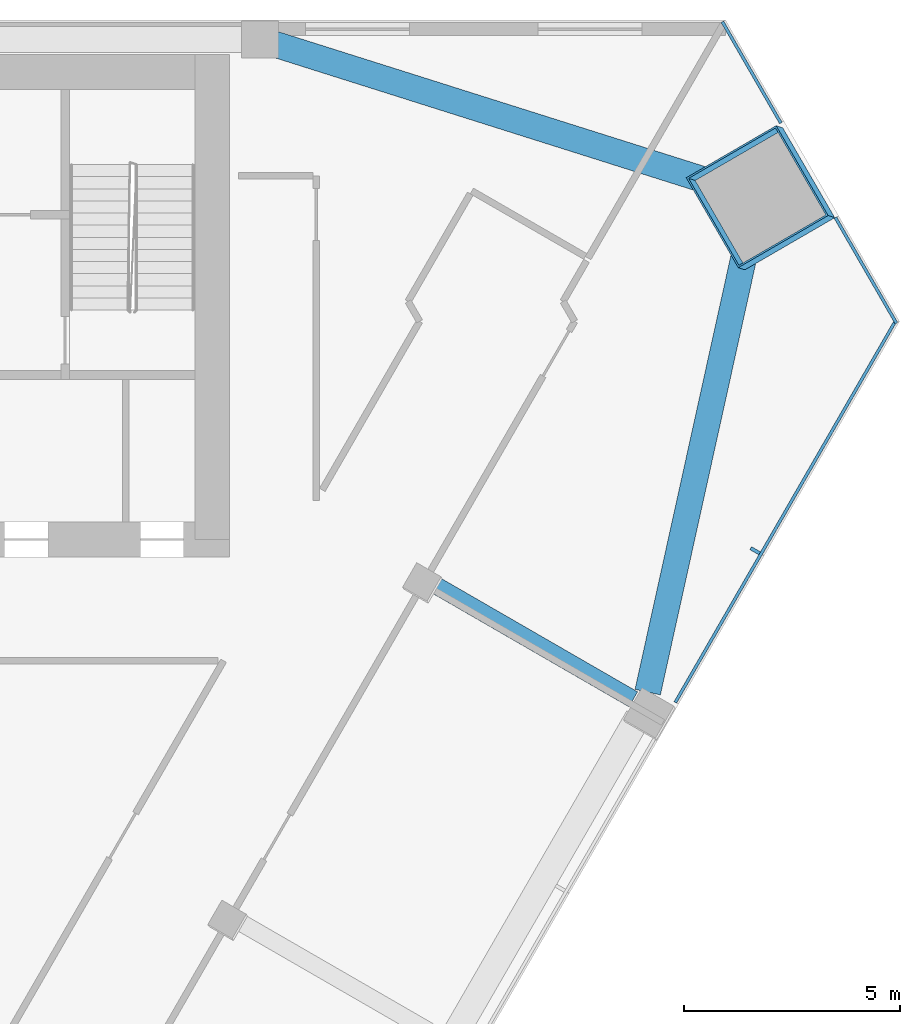
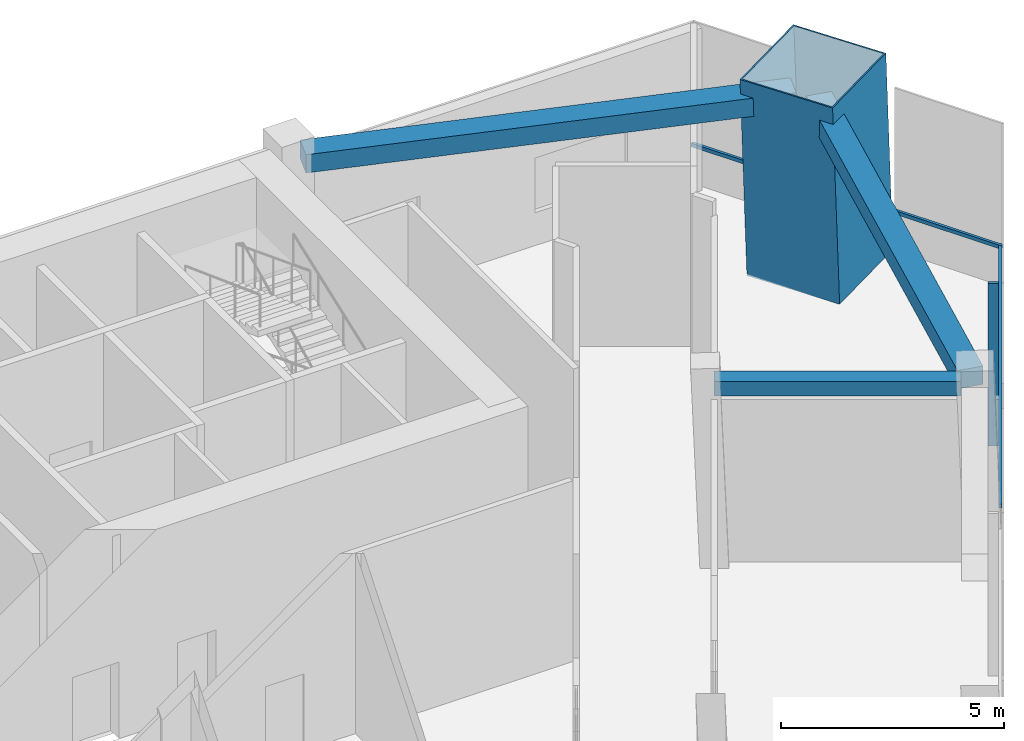
# One storey, part 5 of 12: 5 members, 3 beams, 2 elements without a shape of their own.
"""IFC4 building model written with IfcOpenShell, lengths in metres."""

from ifc_helpers import new_model, si_unit, direction, frame, origin, origin_2d, place, context, subcontext, project, spatial, rectangle, hollow_rectangle, extrude, material, layer, layer_set, material_profile, profile_set, type_object, element, aggregate, save


model = new_model("IFC4")

# Units and contexts
model_context = context("Model", 3, precision=1e-05, world=origin(), true_north=direction((0.0, 1.0)))
body_context = subcontext(model_context, "Body", "Model", "MODEL_VIEW")
ifc_project = project(units=[si_unit("LENGTHUNIT", "METRE"), si_unit("AREAUNIT", "SQUARE_METRE"), si_unit("VOLUMEUNIT", "CUBIC_METRE"), si_unit("PLANEANGLEUNIT", "RADIAN"), si_unit("MASSUNIT", "GRAM", prefix="KILO")], contexts=[model_context])

# Site, building, storey
site_placement = place(None, origin())
site = spatial("IfcSite", under=ifc_project, at=site_placement, CompositionType="ELEMENT")
building_placement = place(site_placement, origin())
building = spatial("IfcBuilding", under=site, at=building_placement, Name="Altiplano Prism Tower", CompositionType="ELEMENT")
storey_placement = place(building_placement, frame((0.0, 0.0, 118.800048828125)))
storey = spatial("IfcBuildingStorey", under=building, at=storey_placement, Name="L30", CompositionType="ELEMENT", Elevation=118.800048828125)

# Curtain wall, members
ifc_material_1 = material(Name="Aluminium and glass", Category="aluminium")
ifc_layer = layer(ifc_material_1, 0.360107421875)
ifc_layer_set = layer_set([ifc_layer], Name="Aluminium and glass")
curtain_wall_type = type_object("IfcCurtainWallType", Name="CW3 sky-lobby unitised glazing", PredefinedType="NOTDEFINED", material=ifc_layer_set)
curtain_wall_1_placement = place(storey_placement, origin())
curtain_wall_1 = element("IfcCurtainWall", 1, at=curtain_wall_1_placement, inside=storey, type_object=curtain_wall_type, Name="CW3 curtain wall south-east face L30", PredefinedType="NOTDEFINED")
ifc_material_2 = material(Name="Aluminium", Category="aluminium")
ifc_material_profile_1 = material_profile(ifc_material_2, rectangle(XDim=0.239990234375, YDim=0.080078125, at=origin_2d()), Name="CW3 mullion 80 x 240")
ifc_profile_set_1 = profile_set([ifc_material_profile_1], Name="Aluminium")
member_type_1 = type_object("IfcMemberType", Name="CW3 mullion 80 x 240", PredefinedType="MULLION", material=ifc_profile_set_1)
member_1_placement = place(storey_placement, frame((109.93896484375, 92.741455078125, 0.0), z_axis=(0.0, 0.0, 1.0), x_axis=(-0.866025406725, 0.499999994906, 0.0)))
member_1 = element("IfcMember", 2, at=member_1_placement, type_object=member_type_1, Name="CW3 mullion", PredefinedType="MULLION", context=body_context, shape_type="SweptSolid", body=[
    extrude(rectangle(XDim=0.239990234375, YDim=0.080078125, at=origin_2d()), origin(), (0.0, 0.0, 1.0), 4.449951171875),
])
ifc_material_profile_2 = material_profile(ifc_material_2, rectangle(XDim=0.070068359375, YDim=0.10009765625, at=origin_2d()), Name="CW3 transom 100 x 70")
ifc_profile_set_2 = profile_set([ifc_material_profile_2], Name="Aluminium")
member_type_2 = type_object("IfcMemberType", Name="CW3 transom 100 x 70", PredefinedType="USERDEFINED", material=ifc_profile_set_2)
member_2_placement = place(storey_placement, frame((108.095458984375, 89.23828125, 1.099853515625), z_axis=(0.500001144849, 0.866024742805, 0.0), x_axis=(-0.866024742805, 0.500001144849, 0.0)))
member_2 = element("IfcMember", 3, at=member_2_placement, type_object=member_type_2, Name="CW3 transom", ObjectType="TRANSOM", PredefinedType="USERDEFINED", context=body_context, shape_type="SweptSolid", body=[
    extrude(rectangle(XDim=0.070068359375, YDim=0.10009765625, at=origin_2d()), origin(), (0.0, 0.0, 1.0), 10.2119140625),
])
aggregate(curtain_wall_1, [member_1, member_2])

curtain_wall_2_placement = place(storey_placement, origin())
curtain_wall_2 = element("IfcCurtainWall", 4, at=curtain_wall_2_placement, inside=storey, type_object=curtain_wall_type, Name="CW3 curtain wall north-east chamfer L30", PredefinedType="NOTDEFINED")
member_3_placement = place(storey_placement, frame((113.201416015625, 97.9970703125, 1.099853515625), z_axis=(-0.500042355881, 0.866000948224, 0.0), x_axis=(-0.866000948224, -0.500042355881, 0.0)))
member_3 = element("IfcMember", 5, at=member_3_placement, type_object=member_type_2, Name="CW3 transom", ObjectType="TRANSOM", PredefinedType="USERDEFINED", context=body_context, shape_type="SweptSolid", body=[
    extrude(rectangle(XDim=0.070068359375, YDim=0.10009765625, at=origin_2d()), origin(), (0.0, 0.0, 1.0), 2.818603515625),
])
member_4_placement = place(storey_placement, frame((110.531982421875, 102.620361328125, 1.099853515625), z_axis=(-0.500001755459, 0.866024390267, 0.0), x_axis=(-0.866024390267, -0.500001755459, 0.0)))
member_4 = element("IfcMember", 6, at=member_4_placement, type_object=member_type_2, Name="CW3 transom", ObjectType="TRANSOM", PredefinedType="USERDEFINED", context=body_context, shape_type="SweptSolid", body=[
    extrude(rectangle(XDim=0.070068359375, YDim=0.10009765625, at=origin_2d()), origin(), (0.0, 0.0, 1.0), 2.69873046875),
])
aggregate(curtain_wall_2, [member_3, member_4])

# Beams
ifc_material_3 = material(Name="Concrete C60/75", Category="concrete")
ifc_material_profile_3 = material_profile(ifc_material_3, rectangle(XDim=0.60009765625, YDim=0.5, at=origin_2d()), Name="Edge beam 600x500")
ifc_profile_set_3 = profile_set([ifc_material_profile_3], Name="Concrete C60/75")
beam_type_1 = type_object("IfcBeamType", Name="Edge beam 600x500", PredefinedType="SPANDREL", material=ifc_profile_set_3)
beam_1_placement = place(storey_placement, frame((107.457275390625, 89.47509765625, 4.699951171875), z_axis=(0.215788130931, 0.976440209408, 0.0), x_axis=(-0.976440209408, 0.215788130931, 0.0)))
element("IfcBeam", 7, at=beam_1_placement, inside=storey, type_object=beam_type_1, Name="Edge beam P24-M2 L31", PredefinedType="SPANDREL", context=body_context, shape_type="SweptSolid", body=[
    extrude(rectangle(XDim=0.60009765625, YDim=0.5, at=origin_2d()), origin(), (0.0, 0.0, 1.0), 11.27099609375),
])
beam_2_placement = place(storey_placement, frame((109.557373046875, 101.055419921875, 4.699951171875), z_axis=(-0.953512580837, 0.301353211672, 0.0), x_axis=(-0.301353211672, -0.953512580837, 0.0)))
element("IfcBeam", 8, at=beam_2_placement, inside=storey, type_object=beam_type_1, Name="Edge beam M2-P01 L31", PredefinedType="SPANDREL", context=body_context, shape_type="SweptSolid", body=[
    extrude(rectangle(XDim=0.60009765625, YDim=0.5, at=origin_2d()), origin(), (0.0, 0.0, 1.0), 11.270751953125),
])

# Member
ifc_material_4 = material(Name="Steel S460", Category="steel")
ifc_material_profile_4 = material_profile(ifc_material_4, hollow_rectangle(XDim=2.39990234375, YDim=2.39990234375, WallThickness=0.0400390625, at=origin_2d()), Name="Mega column tube 2400")
ifc_profile_set_4 = profile_set([ifc_material_profile_4], Name="Steel S460")
member_type_3 = type_object("IfcMemberType", Name="Mega column tube 2400", PredefinedType="POST", material=ifc_profile_set_4)
member_5_placement = place(storey_placement, frame((110.139892578125, 100.869873046875, 0.0), z_axis=(-0.028425675249, 0.009219137918, 0.999553394513), x_axis=(0.500953958552, -0.865188493132, 0.022226172915)))
element("IfcMember", 9, at=member_5_placement, inside=storey, type_object=member_type_3, Name="Mega column tube M2 L30", PredefinedType="POST", context=body_context, shape_type="SweptSolid", body=[
    extrude(hollow_rectangle(XDim=2.39990234375, YDim=2.39990234375, WallThickness=0.0400390625, at=origin_2d()), origin(), (0.0, 0.0, 1.0), 5.40234375),
])

# Beam
ifc_material_profile_5 = material_profile(ifc_material_3, rectangle(XDim=0.39990234375, YDim=0.39990234375, at=origin_2d()), Name="Tie beam 400x400")
ifc_profile_set_5 = profile_set([ifc_material_profile_5], Name="Concrete C60/75")
beam_type_2 = type_object("IfcBeamType", Name="Tie beam 400x400", PredefinedType="BEAM", material=ifc_profile_set_5)
beam_3_placement = place(storey_placement, frame((102.3251953125, 92.07958984375, 4.75), z_axis=(0.866027073272, -0.499997108352, 0.0), x_axis=(0.499997108352, 0.866027073272, 0.0)))
element("IfcBeam", 10, at=beam_3_placement, inside=storey, type_object=beam_type_2, Name="Tie beam I24 L31", PredefinedType="BEAM", context=body_context, shape_type="SweptSolid", body=[
    extrude(rectangle(XDim=0.39990234375, YDim=0.39990234375, at=origin_2d()), origin(), (0.0, 0.0, 1.0), 5.5400390625),
])

save(model, "model.ifc")
